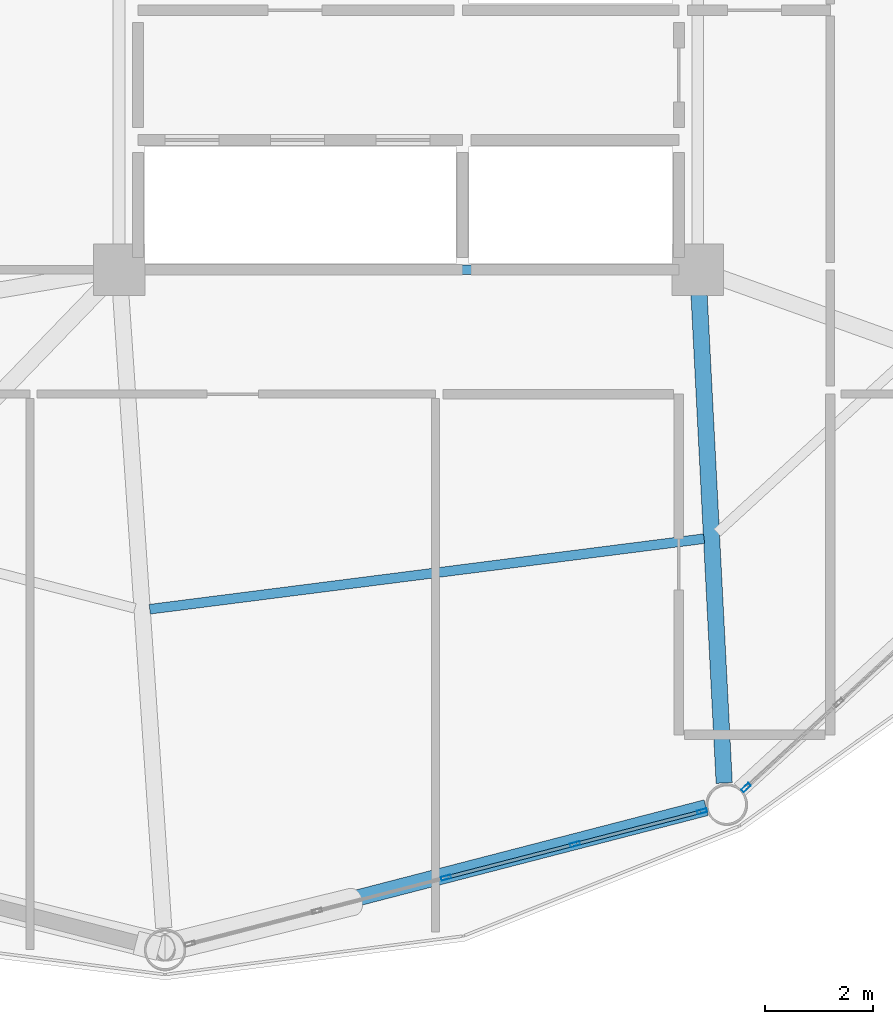
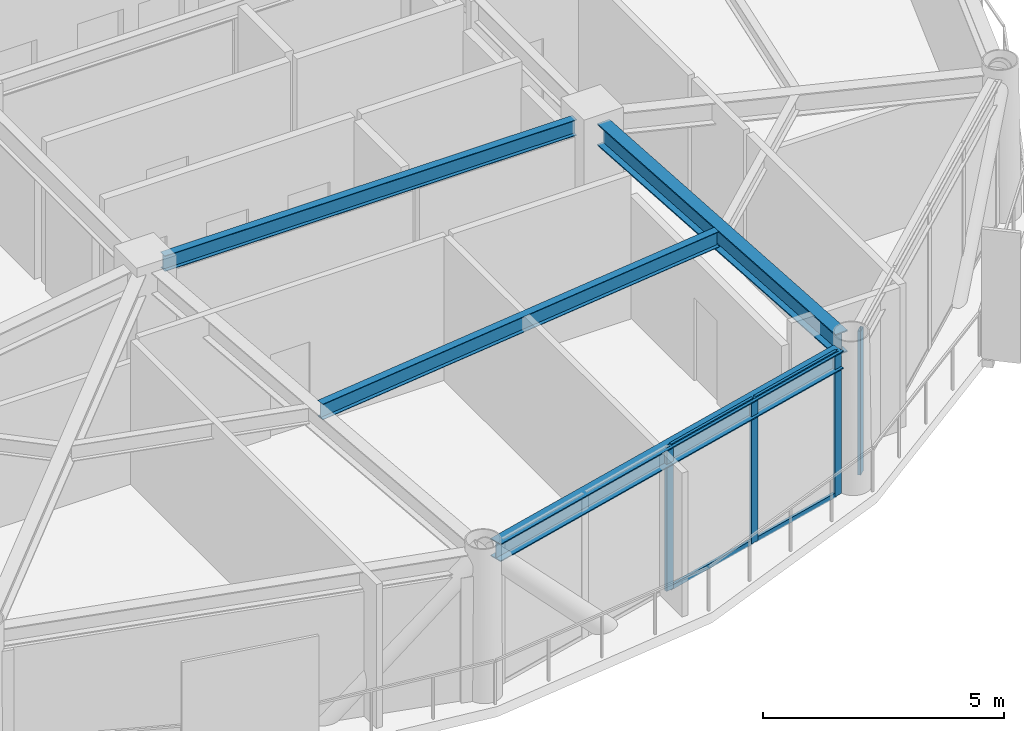
# One storey, part 8 of 27: 8 members, 4 beams, 2 elements without a shape of their own.
"""IFC4 building model written with IfcOpenShell, lengths in metres."""

from ifc_helpers import new_model, si_unit, direction, frame, origin, origin_2d, place, context, subcontext, project, spatial, hollow_rectangle, i_section, extrude, material, layer, layer_set, material_profile, profile_set, type_object, element, aggregate, save


model = new_model("IFC4")

# Units and contexts
model_context = context("Model", 3, precision=1e-05, world=origin(), true_north=direction((0.0, 1.0)))
body_context = subcontext(model_context, "Body", "Model", "MODEL_VIEW")
ifc_project = project(units=[si_unit("LENGTHUNIT", "METRE"), si_unit("AREAUNIT", "SQUARE_METRE"), si_unit("VOLUMEUNIT", "CUBIC_METRE"), si_unit("PLANEANGLEUNIT", "RADIAN"), si_unit("MASSUNIT", "GRAM", prefix="KILO")], contexts=[model_context])

# Site, building, storey
site_placement = place(None, origin())
site = spatial("IfcSite", under=ifc_project, at=site_placement, CompositionType="ELEMENT")
building_placement = place(site_placement, origin())
building = spatial("IfcBuilding", under=site, at=building_placement, Name="Varnakorn Sky Granary", CompositionType="ELEMENT")
storey_placement = place(building_placement, frame((0.0, 0.0, 142.199951171875)))
storey = spatial("IfcBuildingStorey", under=building, at=storey_placement, Name="L35", CompositionType="ELEMENT", Elevation=142.199951171875)

# Beams
ifc_material_1 = material(Name="Steel S355JR", Category="steel")
ifc_material_profile_1 = material_profile(ifc_material_1, i_section(OverallWidth=0.300048828125, OverallDepth=0.550048828125, WebThickness=0.014892578125, FlangeThickness=0.029052734375, at=origin_2d()), Name="HE 550 B")
ifc_profile_set_1 = profile_set([ifc_material_profile_1], Name="Steel S355JR")
beam_type_1 = type_object("IfcBeamType", Name="BM-RAD-Z3", PredefinedType="BEAM", material=ifc_profile_set_1)
beam_1_placement = place(storey_placement, frame((8.37158203125, -7.019287109375, 3.364990234375), z_axis=(0.051421666092, -0.998677031005, 0.0), x_axis=(0.998677031005, 0.051421666092, 0.0)))
element("IfcBeam", 1, at=beam_1_placement, inside=storey, type_object=beam_type_1, Name="Radial Floor Girder RG11 L35", PredefinedType="BEAM", context=body_context, shape_type="SweptSolid", body=[
    extrude(i_section(OverallWidth=0.300048828125, OverallDepth=0.550048828125, WebThickness=0.014892578125, FlangeThickness=0.029052734375, at=origin_2d()), origin(), (0.0, 0.0, 1.0), 9.08251953125),
])
ifc_material_profile_2 = material_profile(ifc_material_1, i_section(OverallWidth=0.179931640625, OverallDepth=0.39990234375, WebThickness=0.008544921875, FlangeThickness=0.013427734375, at=origin_2d()), Name="IPE 400")
ifc_profile_set_2 = profile_set([ifc_material_profile_2], Name="Steel S355JR")
beam_type_2 = type_object("IfcBeamType", Name="BM-SEC-Z3", PredefinedType="BEAM", material=ifc_profile_set_2)
beam_2_placement = place(storey_placement, frame((-1.7841796875, -12.877197265625, 3.43994140625), z_axis=(0.991993983695, 0.126285138924, 0.0), x_axis=(-0.126285138924, 0.991993983695, 0.0)))
element("IfcBeam", 2, at=beam_2_placement, inside=storey, type_object=beam_type_2, Name="Secondary Floor Chord Beam MSB10 L35", PredefinedType="BEAM", context=body_context, shape_type="SweptSolid", body=[
    extrude(i_section(OverallWidth=0.179931640625, OverallDepth=0.39990234375, WebThickness=0.008544921875, FlangeThickness=0.013427734375, at=origin_2d()), origin(), (0.0, 0.0, 1.0), 10.333251953125),
])
beam_3_placement = place(storey_placement, frame((-1.929931640625, -6.60009765625, 3.43994140625), z_axis=(1.0, 0.0, 0.0), x_axis=(0.0, 1.0, 0.0)))
element("IfcBeam", 3, at=beam_3_placement, inside=storey, type_object=beam_type_2, Name="Core Spine Framing Beam 6 L35", PredefinedType="BEAM", context=body_context, shape_type="SweptSolid", body=[
    extrude(i_section(OverallWidth=0.179931640625, OverallDepth=0.39990234375, WebThickness=0.008544921875, FlangeThickness=0.013427734375, at=origin_2d()), origin(), (0.0, 0.0, 1.0), 9.85986328125),
])
ifc_material_profile_3 = material_profile(ifc_material_1, i_section(OverallWidth=0.300048828125, OverallDepth=0.449951171875, WebThickness=0.013916015625, FlangeThickness=0.02587890625, at=origin_2d()), Name="HE 450 B")
ifc_profile_set_3 = profile_set([ifc_material_profile_3], Name="Steel S355JR")
beam_type_3 = type_object("IfcBeamType", Name="BM-SPD-Z3", PredefinedType="SPANDREL", material=ifc_profile_set_3)
beam_4_placement = place(storey_placement, frame((-1.145751953125, -19.044189453125, 3.4150390625), z_axis=(0.968106562543, 0.250538786541, 0.0), x_axis=(-0.250538786541, 0.968106562543, 0.0)))
element("IfcBeam", 4, at=beam_4_placement, inside=storey, type_object=beam_type_3, Name="Perimeter Spandrel Ring Beam RB10 L35", PredefinedType="SPANDREL", context=body_context, shape_type="SweptSolid", body=[
    extrude(i_section(OverallWidth=0.300048828125, OverallDepth=0.449951171875, WebThickness=0.013916015625, FlangeThickness=0.02587890625, at=origin_2d()), origin(), (0.0, 0.0, 1.0), 9.966796875),
])

# Curtain wall, members
ifc_material_2 = material(Name="Anodised Bronze Aluminium Alloy 6063-T6", Category="aluminium")
ifc_layer = layer(ifc_material_2, 0.179931640625, Name="Anodised Bronze Aluminium Alloy 6063-T6")
ifc_layer_set = layer_set([ifc_layer], Name="Anodised Bronze Aluminium Alloy 6063-T6")
curtain_wall_type = type_object("IfcCurtainWallType", Name="CW-FRM-2", PredefinedType="USERDEFINED", material=ifc_layer_set)
curtain_wall_1_placement = place(storey_placement, origin())
curtain_wall_1 = element("IfcCurtainWall", 5, at=curtain_wall_1_placement, inside=storey, type_object=curtain_wall_type, Name="Unitised Curtain Wall CW4 CW-L35-B10", ObjectType="CURTAIN WALL", PredefinedType="USERDEFINED")
ifc_material_profile_4 = material_profile(ifc_material_2, hollow_rectangle(XDim=0.070068359375, YDim=0.18505859375, WallThickness=0.00390625, at=origin_2d()), Name="ALU MULL 70x185")
ifc_profile_set_4 = profile_set([ifc_material_profile_4], Name="Anodised Bronze Aluminium Alloy 6063-T6")
member_type_1 = type_object("IfcMemberType", Name="CW-FRM-2-MULL", PredefinedType="MULLION", material=ifc_profile_set_4)
member_1_placement = place(storey_placement, frame((8.43017578125, -16.615234375, 0.0), z_axis=(0.0, 0.0, 1.0), x_axis=(0.250348042267, -0.968155905696, 0.0)))
member_1 = element("IfcMember", 6, at=member_1_placement, type_object=member_type_1, Name="CW4 mullion 1", PredefinedType="MULLION", context=body_context, shape_type="SweptSolid", body=[
    extrude(hollow_rectangle(XDim=0.070068359375, YDim=0.18505859375, WallThickness=0.00390625, at=origin_2d()), origin(), (0.0, 0.0, 1.0), 3.64013671875),
])
member_2_placement = place(storey_placement, frame((6.079833984375, -17.22314453125, 0.0), z_axis=(0.0, 0.0, 1.0), x_axis=(0.250348042267, -0.968155905696, 0.0)))
member_2 = element("IfcMember", 7, at=member_2_placement, type_object=member_type_1, Name="CW4 mullion 2", PredefinedType="MULLION", context=body_context, shape_type="SweptSolid", body=[
    extrude(hollow_rectangle(XDim=0.070068359375, YDim=0.18505859375, WallThickness=0.00390625, at=origin_2d()), origin(), (0.0, 0.0, 1.0), 3.64013671875),
])
member_3_placement = place(storey_placement, frame((3.695556640625, -17.839599609375, 0.0), z_axis=(0.0, 0.0, 1.0), x_axis=(0.250348042267, -0.968155905696, 0.0)))
member_3 = element("IfcMember", 8, at=member_3_placement, type_object=member_type_1, Name="CW4 mullion 3", PredefinedType="MULLION", context=body_context, shape_type="SweptSolid", body=[
    extrude(hollow_rectangle(XDim=0.070068359375, YDim=0.18505859375, WallThickness=0.00390625, at=origin_2d()), origin(), (0.0, 0.0, 1.0), 3.64013671875),
])

# Curtain wall, member
curtain_wall_2_placement = place(storey_placement, origin())
curtain_wall_2 = element("IfcCurtainWall", 9, at=curtain_wall_2_placement, inside=storey, type_object=curtain_wall_type, Name="Unitised Curtain Wall CW4 CW-L35-B11", ObjectType="CURTAIN WALL", PredefinedType="USERDEFINED")
member_4_placement = place(storey_placement, frame((9.241943359375, -16.174560546875, 0.0), z_axis=(0.0, 0.0, 1.0), x_axis=(0.675684798243, -0.737190649305, 0.0)))
member_4 = element("IfcMember", 10, at=member_4_placement, type_object=member_type_1, Name="CW4 mullion 5", PredefinedType="MULLION", context=body_context, shape_type="SweptSolid", body=[
    extrude(hollow_rectangle(XDim=0.070068359375, YDim=0.18505859375, WallThickness=0.00390625, at=origin_2d()), origin(), (0.0, 0.0, 1.0), 3.64013671875),
])
aggregate(curtain_wall_2, [member_4])

# Member
ifc_material_profile_5 = material_profile(ifc_material_2, hollow_rectangle(XDim=0.06494140625, YDim=0.1201171875, WallThickness=0.00341796875, at=origin_2d()), Name="ALU TRAN 65x120")
ifc_profile_set_5 = profile_set([ifc_material_profile_5], Name="Anodised Bronze Aluminium Alloy 6063-T6")
member_type_2 = type_object("IfcMemberType", Name="CW-FRM-2-TRAN", PredefinedType="USERDEFINED", material=ifc_profile_set_5)
member_5_placement = place(storey_placement, frame((8.396240234375, -16.6240234375, 0.032470703125), z_axis=(-0.968149508129, -0.250372781888, 0.0), x_axis=(0.250372781888, -0.968149508129, 0.0)))
member_5 = element("IfcMember", 11, at=member_5_placement, type_object=member_type_2, Name="CW4 transom 1.1", ObjectType="TRANSOM", PredefinedType="USERDEFINED", context=body_context, shape_type="SweptSolid", body=[
    extrude(hollow_rectangle(XDim=0.06494140625, YDim=0.1201171875, WallThickness=0.00341796875, at=origin_2d()), origin(), (0.0, 0.0, 1.0), 2.35791015625),
])

member_6_placement = place(storey_placement, frame((8.396240234375, -16.6240234375, 3.607666015625), z_axis=(-0.968149508129, -0.250372781888, 0.0), x_axis=(0.250372781888, -0.968149508129, 0.0)))
member_6 = element("IfcMember", 12, at=member_6_placement, type_object=member_type_2, Name="CW4 transom 1.2", ObjectType="TRANSOM", PredefinedType="USERDEFINED", context=body_context, shape_type="SweptSolid", body=[
    extrude(hollow_rectangle(XDim=0.06494140625, YDim=0.1201171875, WallThickness=0.00341796875, at=origin_2d()), origin(), (0.0, 0.0, 1.0), 2.35791015625),
])

member_7_placement = place(storey_placement, frame((6.0458984375, -17.231689453125, 0.032470703125), z_axis=(-0.968141793845, -0.250402609833, 0.0), x_axis=(0.250402609833, -0.968141793845, 0.0)))
member_7 = element("IfcMember", 13, at=member_7_placement, type_object=member_type_2, Name="CW4 transom 2.1", ObjectType="TRANSOM", PredefinedType="USERDEFINED", context=body_context, shape_type="SweptSolid", body=[
    extrude(hollow_rectangle(XDim=0.06494140625, YDim=0.1201171875, WallThickness=0.00341796875, at=origin_2d()), origin(), (0.0, 0.0, 1.0), 2.392578125),
])

member_8_placement = place(storey_placement, frame((6.0458984375, -17.231689453125, 3.607666015625), z_axis=(-0.968141793845, -0.250402609833, 0.0), x_axis=(0.250402609833, -0.968141793845, 0.0)))
member_8 = element("IfcMember", 14, at=member_8_placement, type_object=member_type_2, Name="CW4 transom 2.2", ObjectType="TRANSOM", PredefinedType="USERDEFINED", context=body_context, shape_type="SweptSolid", body=[
    extrude(hollow_rectangle(XDim=0.06494140625, YDim=0.1201171875, WallThickness=0.00341796875, at=origin_2d()), origin(), (0.0, 0.0, 1.0), 2.392578125),
])

aggregate(curtain_wall_1, [member_1, member_2, member_3, member_5, member_6, member_7, member_8])

save(model, "model.ifc")
